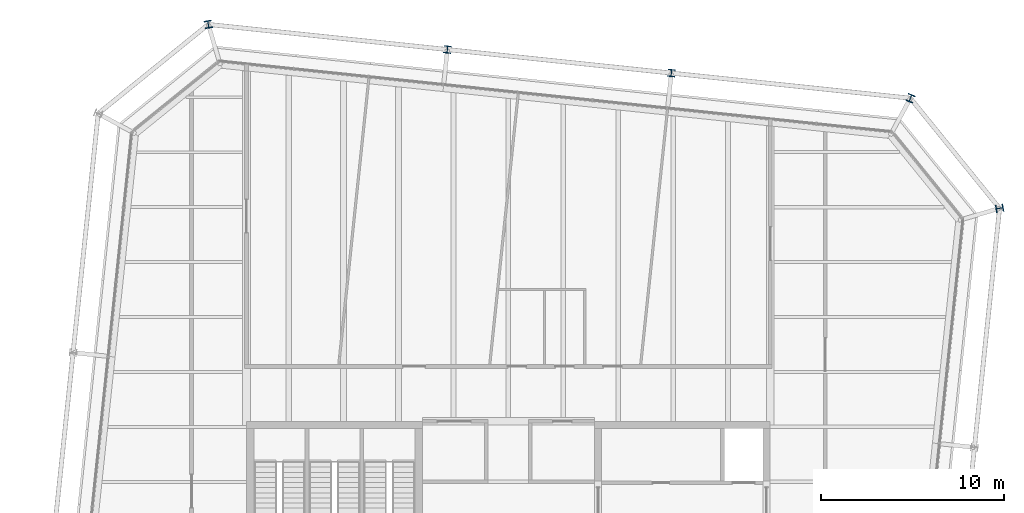
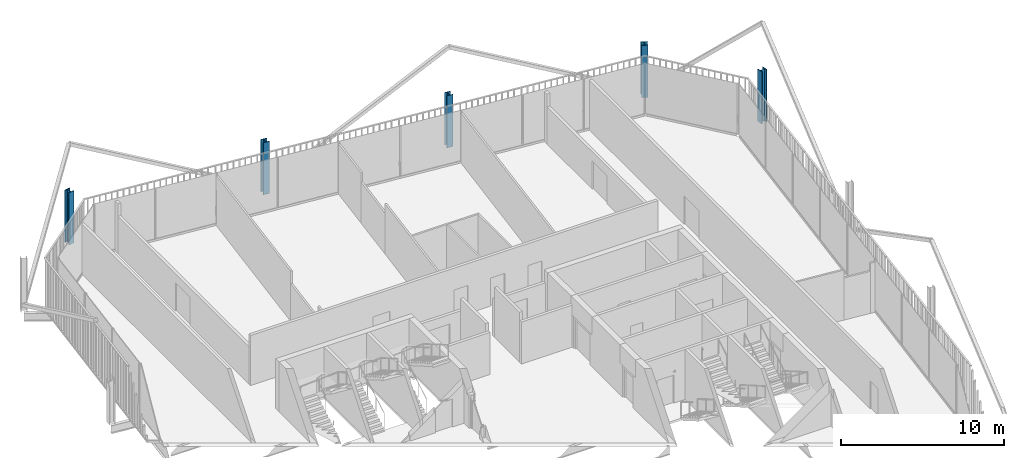
# One storey, part 2 of 21: 5 columns.
"""IFC4 building model written with IfcOpenShell, lengths in metres."""

import ifcopenshell
import ifcopenshell.guid

model = None  # the IFC model being written
_history = None  # IfcOwnerHistory: only IFC2X3 demands one
_inside = {}  # id of a spatial element -> (the spatial element, [elements in it])
_under = {}  # id of a project, library or spatial element -> (it, [spatial elements below it])
_declared = {}  # id of a project -> (the project, [libraries it declares])
_typed = {}  # id of a type object -> (the type object, [elements of that type])
_made_of = {}  # id of a material, layer set ... -> (it, [elements and type objects made of it])


def new_model(schema):
    """Start an empty IFC model of exactly this schema.

    Asked for "IFC4X3", IfcOpenShell would pick the latest addendum, in which some entities
    have other attributes; the version numbers below select the first issue.
    IFC2X3 requires an IfcOwnerHistory on every rooted entity: one is made here for all.
    """
    global model, _history
    if schema == "IFC4X3":
        model = ifcopenshell.file(schema_version=(4, 3, 0, 0))
    else:
        model = ifcopenshell.file(schema=schema)
    _inside.clear()
    _under.clear()
    _declared.clear()
    _typed.clear()
    _made_of.clear()
    _history = None
    if model.schema == "IFC2X3":
        org = make("IfcOrganization", Name="unknown")
        user = make(
            "IfcPersonAndOrganization",
            ThePerson=make("IfcPerson", FamilyName="unknown"),
            TheOrganization=org,
        )
        app = make(
            "IfcApplication",
            ApplicationDeveloper=org,
            Version="unknown",
            ApplicationFullName="unknown",
            ApplicationIdentifier="unknown",
        )
        _history = make(
            "IfcOwnerHistory",
            OwningUser=user,
            OwningApplication=app,
            ChangeAction="ADDED",
            CreationDate=0,
        )
    return model


def make(cls, **values):
    """One entity of the class cls with the attributes given. An attribute that is None is left unset."""
    return model.create_entity(
        cls, **{name: value for name, value in values.items() if value is not None}
    )


def rooted(cls, **values):
    """An entity with a GlobalId (a new one), such as an element, a storey or a relation."""
    return make(cls, GlobalId=ifcopenshell.guid.new(), OwnerHistory=_history, **values)


def si_unit(unit_type, name, prefix=None):
    """IfcSIUnit, for example si_unit("LENGTHUNIT", "METRE", prefix="MILLI")."""
    return make("IfcSIUnit", UnitType=unit_type, Prefix=prefix, Name=name)


def assignment(units):
    """IfcUnitAssignment: the units of a project."""
    return None if units is None else make("IfcUnitAssignment", Units=units)


def point(xyz):
    """IfcCartesianPoint."""
    return None if xyz is None else make("IfcCartesianPoint", Coordinates=xyz)


def direction(xyz):
    """IfcDirection."""
    return None if xyz is None else make("IfcDirection", DirectionRatios=xyz)


def frame(location, z_axis=None, x_axis=None):
    """IfcAxis2Placement3D, a coordinate frame: its origin and axes. An axis left out is left unset."""
    return make(
        "IfcAxis2Placement3D",
        Location=point(location),
        Axis=direction(z_axis),
        RefDirection=direction(x_axis),
    )


def frame_2d(location, x_axis=None):
    """IfcAxis2Placement2D, a coordinate frame in the plane: its origin and x axis."""
    return make(
        "IfcAxis2Placement2D", Location=point(location), RefDirection=direction(x_axis)
    )


def origin():
    """The frame at (0, 0, 0) with its axes left unset."""
    return frame((0.0, 0.0, 0.0))


def origin_2d():
    """The frame at (0, 0) in the plane with its x axis left unset."""
    return frame_2d((0.0, 0.0))


def place(relative_to, where):
    """IfcLocalPlacement: puts the frame where relative to a parent placement (None: the world)."""
    return make(
        "IfcLocalPlacement", PlacementRelTo=relative_to, RelativePlacement=where
    )


def context(
    kind, dimensions, precision=None, world=None, true_north=None, identifier=None
):
    """IfcGeometricRepresentationContext, for example the 3D "Model" context."""
    return make(
        "IfcGeometricRepresentationContext",
        ContextIdentifier=identifier,
        ContextType=kind,
        CoordinateSpaceDimension=dimensions,
        Precision=precision,
        WorldCoordinateSystem=world,
        TrueNorth=true_north,
    )


def subcontext(parent, identifier, kind, view, scale=None):
    """IfcGeometricRepresentationSubContext, for example "Body" below "Model"."""
    return make(
        "IfcGeometricRepresentationSubContext",
        ContextIdentifier=identifier,
        ContextType=kind,
        ParentContext=parent,
        TargetScale=scale,
        TargetView=view,
    )


def project(units=None, contexts=None):
    """IfcProject with its units and contexts."""
    return rooted(
        "IfcProject",
        Name="project",
        RepresentationContexts=contexts,
        UnitsInContext=assignment(units),
    )


def spatial(cls, under=None, at=None, **own):
    """A site, building, storey or space (cls), placed at a placement, below another one or the project."""
    s = rooted(cls, ObjectPlacement=at, **own)
    if under is not None:
        _under.setdefault(under.id(), (under, []))[1].append(s)
    return s


def profile(cls, at=None, kind="AREA", **sizes):
    """A parametric profile (cls). Its sizes go by their IFC names, for example OverallWidth=200.0."""
    return make(cls, ProfileType=kind, Position=at, **sizes)


def i_section(**sizes):
    """IfcIShapeProfileDef."""
    return profile("IfcIShapeProfileDef", **sizes)


def extrude(swept, where, along, depth):
    """IfcExtrudedAreaSolid: the profile swept, set in the frame where, extruded along a direction by depth."""
    return make(
        "IfcExtrudedAreaSolid",
        SweptArea=swept,
        Position=where,
        ExtrudedDirection=direction(along),
        Depth=depth,
    )


def shape(context_of_items, identifier, shape_type, items):
    """IfcShapeRepresentation: the items that make up one representation, for example the "Body"."""
    return make(
        "IfcShapeRepresentation",
        ContextOfItems=context_of_items,
        RepresentationIdentifier=identifier,
        RepresentationType=shape_type,
        Items=items,
    )


def material(Name=None, Category=None):
    """IfcMaterial."""
    return make("IfcMaterial", Name=Name, Category=Category)


def material_profile(
    of_material, cross_section, Name=None, Category=None, Priority=None
):
    """IfcMaterialProfile: a cross section and its material."""
    return make(
        "IfcMaterialProfile",
        Name=Name,
        Material=of_material,
        Profile=cross_section,
        Priority=Priority,
        Category=Category,
    )


def profile_set(profiles, Name=None, composite=None):
    """IfcMaterialProfileSet."""
    return make(
        "IfcMaterialProfileSet",
        Name=Name,
        MaterialProfiles=profiles,
        CompositeProfile=composite,
    )


def made_of(thing, what):
    """Note that an element or type object is made of a material, layer set ...; save() writes the relation."""
    if what is not None:
        _made_of.setdefault(what.id(), (what, []))[1].append(thing)
    return thing


def type_object(cls, material=None, **own):
    """A type object (cls), such as IfcWallType, which elements share."""
    return made_of(rooted(cls, **own), material)


def element(
    cls,
    number,
    at=None,
    inside=None,
    cuts=None,
    type_object=None,
    material=None,
    context=None,
    identifier="Body",
    shape_type=None,
    held_by="IfcProductDefinitionShape",
    body=None,
    shapes=None,
    **own,
):
    """One element of the class cls, such as IfcWall. Its Tag is "e" and its number.

    at: its placement. inside: the storey or other place that contains it. cuts: it is an
    opening in that element (IfcRelVoidsElement). A single representation is given by context,
    identifier, shape_type and body (its items); several are given by shapes. held_by: the class
    of the entity that holds the representations. save() writes the other relations.
    """
    e = rooted(cls, Tag="e%d" % number, ObjectPlacement=at, **own)
    if body is not None:
        shapes = [shape(context, identifier, shape_type, body)]
    if shapes is not None:
        e.Representation = make(held_by, Representations=shapes)
    if inside is not None:
        _inside.setdefault(inside.id(), (inside, []))[1].append(e)
    if cuts is not None:
        rooted(
            "IfcRelVoidsElement", RelatingBuildingElement=cuts, RelatedOpeningElement=e
        )
    if type_object is not None:
        _typed.setdefault(type_object.id(), (type_object, []))[1].append(e)
    return made_of(e, material)


def aggregate(whole, parts):
    """IfcRelAggregates: a whole, such as a stair, and the parts it consists of."""
    return rooted("IfcRelAggregates", RelatingObject=whole, RelatedObjects=parts)


def save(model, path):
    """Write the relations noted so far, then the file.

    IfcRelAggregates (storeys below a building ...), IfcRelContainedInSpatialStructure (elements
    in a storey), IfcRelDefinesByType, IfcRelAssociatesMaterial and IfcRelDeclares: one each for
    every whole, place, type object, material and project.
    """
    for whole, parts in _under.values():
        aggregate(whole, parts)
    for where, things in _inside.values():
        rooted(
            "IfcRelContainedInSpatialStructure",
            RelatedElements=things,
            RelatingStructure=where,
        )
    for kind, things in _typed.values():
        rooted("IfcRelDefinesByType", RelatedObjects=things, RelatingType=kind)
    for what, things in _made_of.values():
        rooted("IfcRelAssociatesMaterial", RelatedObjects=things, RelatingMaterial=what)
    for by, libraries in _declared.values():
        rooted("IfcRelDeclares", RelatingContext=by, RelatedDefinitions=libraries)
    model.write(path)


model = new_model("IFC4")

# Units and contexts
model_context = context("Model", 3, precision=1e-05, world=origin(), true_north=direction((0.0, 1.0)))
body_context = subcontext(model_context, "Body", "Model", "MODEL_VIEW")
ifc_project = project(units=[si_unit("LENGTHUNIT", "METRE"), si_unit("AREAUNIT", "SQUARE_METRE"), si_unit("VOLUMEUNIT", "CUBIC_METRE"), si_unit("PLANEANGLEUNIT", "RADIAN"), si_unit("MASSUNIT", "GRAM", prefix="KILO")], contexts=[model_context])

# Site, building, storey
site_placement = place(None, origin())
site = spatial("IfcSite", under=ifc_project, at=site_placement, CompositionType="ELEMENT")
building_placement = place(site_placement, origin())
building = spatial("IfcBuilding", under=site, at=building_placement, Name="Millrace Tower", CompositionType="ELEMENT")
storey_placement = place(building_placement, frame((0.0, 0.0, 283.800048828125)))
storey = spatial("IfcBuildingStorey", under=building, at=storey_placement, Name="L65", CompositionType="ELEMENT", Elevation=283.800048828125)

# Columns
ifc_material_1 = material(Name="Steel ASTM A913 Grade 65", Category="steel")
ifc_material_profile_1 = material_profile(ifc_material_1, i_section(OverallWidth=0.4013671875, OverallDepth=0.398681640625, WebThickness=0.02490234375, FlangeThickness=0.03955078125, FilletRadius=0.01513671875, at=origin_2d()))
ifc_profile_set_1 = profile_set([ifc_material_profile_1], Name="Steel ASTM A913 Grade 65")
column_type_1 = type_object("IfcColumnType", Name="Exoskeleton column W14x211", PredefinedType="COLUMN", material=ifc_profile_set_1)
for number, where, z_axis, x_axis, name in (
    (1, (8.9033203125, 28.321533203125, 0.0), (0.0, 0.0, 1.0), (-0.994521897246, 0.104528445407, 0.0), "COL-E-L65-X11"),
    (2, (-3.329345703125, 29.607177734375, 0.0), (0.0, 0.0, 1.0), (-0.994521897246, 0.104528445407, 0.0), "COL-E-L65-X12"),
):
    element("IfcColumn", number, at=place(storey_placement, frame(where, z_axis=z_axis, x_axis=x_axis)), inside=storey, type_object=column_type_1, Name=name, PredefinedType="COLUMN", context=body_context, shape_type="SweptSolid", body=[
        extrude(i_section(OverallWidth=0.4013671875, OverallDepth=0.398681640625, WebThickness=0.02490234375, FlangeThickness=0.03955078125, FilletRadius=0.01513671875, at=origin_2d()), origin(), (0.0, 0.0, 1.0), 3.89990234375),
    ])
ifc_material_2 = material(Name="Steel ASTM A913 Grade 65", Category="steel")
ifc_material_profile_2 = material_profile(ifc_material_2, i_section(OverallWidth=0.406494140625, OverallDepth=0.41650390625, WebThickness=0.030029296875, FlangeThickness=0.048095703125, FilletRadius=0.01513671875, at=origin_2d()))
ifc_profile_set_2 = profile_set([ifc_material_profile_2], Name="Steel ASTM A913 Grade 65")
column_type_2 = type_object("IfcColumnType", Name="Exoskeleton column W14x257", PredefinedType="COLUMN", material=ifc_profile_set_2)
for number, where, z_axis, x_axis, name in (
    (3, (26.82958984375, 20.935791015625, 0.0), (0.0, 0.0, 1.0), (-0.18038747256, 0.983595628164, 0.0), "COL-E-L65-X09"),
    (4, (21.9599609375, 26.94921875, 0.0), (0.0, 0.0, 1.0), (-0.92459700658, 0.380946683176, 0.0), "COL-E-L65-X10"),
    (5, (-16.3857421875, 30.9794921875, 0.0), (0.0, 0.0, 1.0), (-0.983595628164, -0.18038747256, 0.0), "COL-E-L65-X13"),
):
    element("IfcColumn", number, at=place(storey_placement, frame(where, z_axis=z_axis, x_axis=x_axis)), inside=storey, type_object=column_type_2, Name=name, PredefinedType="COLUMN", context=body_context, shape_type="SweptSolid", body=[
        extrude(i_section(OverallWidth=0.406494140625, OverallDepth=0.41650390625, WebThickness=0.030029296875, FlangeThickness=0.048095703125, FilletRadius=0.01513671875, at=origin_2d()), origin(), (0.0, 0.0, 1.0), 3.89990234375),
    ])

save(model, "model.ifc")
